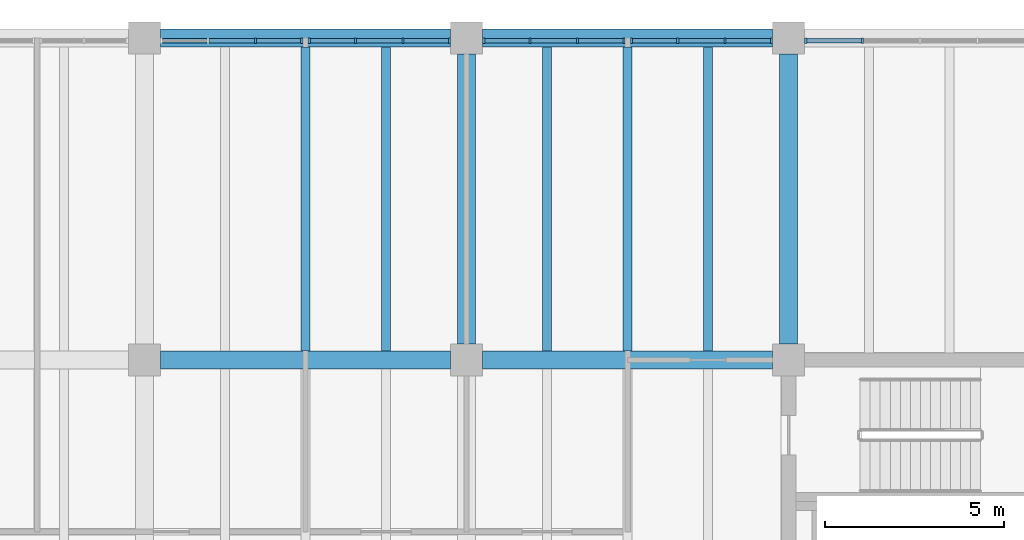
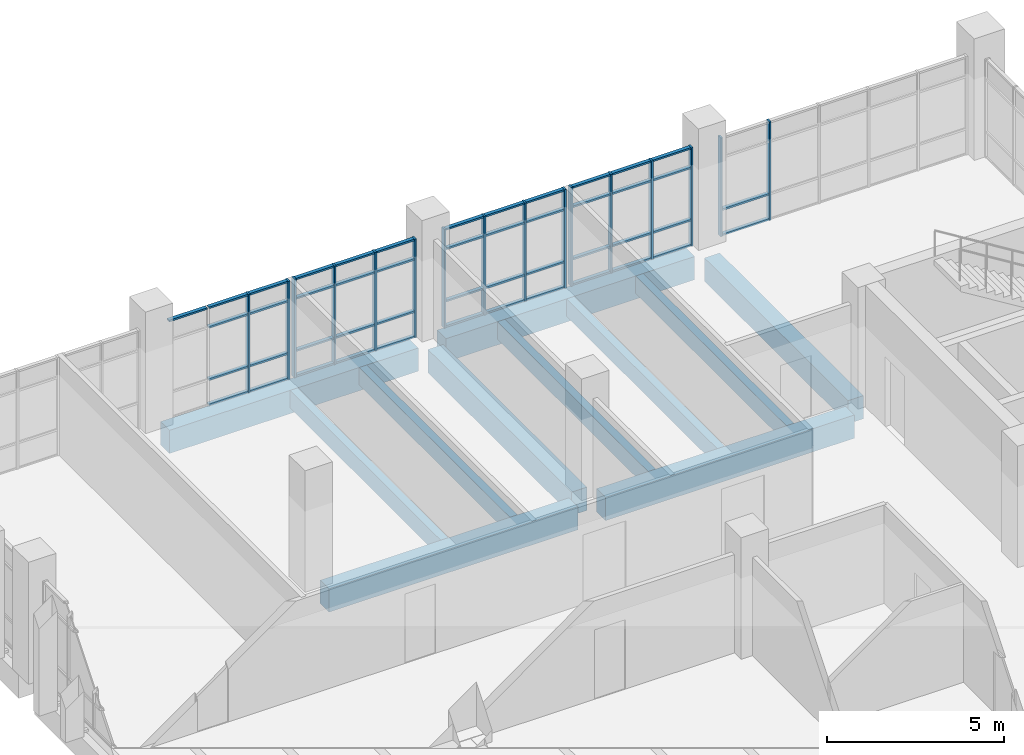
# One storey, part 34 of 88: 63 members, 11 beams, 5 elements without a shape of their own.
"""IFC4 building model written with IfcOpenShell, lengths in metres."""

from ifc_helpers import new_model, si_unit, direction, frame, origin, origin_2d, place, context, subcontext, project, spatial, rectangle, extrude, material, material_profile, profile_set, type_object, element, aggregate, save


model = new_model("IFC4")

# Units and contexts
model_context = context("Model", 3, precision=1e-05, world=origin(), true_north=direction((0.0, 1.0)))
body_context = subcontext(model_context, "Body", "Model", "MODEL_VIEW")
ifc_project = project(units=[si_unit("LENGTHUNIT", "METRE"), si_unit("AREAUNIT", "SQUARE_METRE"), si_unit("VOLUMEUNIT", "CUBIC_METRE"), si_unit("PLANEANGLEUNIT", "RADIAN"), si_unit("MASSUNIT", "GRAM", prefix="KILO")], contexts=[model_context])

# Site, building, storey
site_placement = place(None, origin())
site = spatial("IfcSite", under=ifc_project, at=site_placement, CompositionType="ELEMENT")
building_placement = place(site_placement, origin())
building = spatial("IfcBuilding", under=site, at=building_placement, Name="Merrow Basin Faculty of Sciences", CompositionType="ELEMENT")
storey_placement = place(building_placement, frame((0.0, 0.0, 9.0)))
storey = spatial("IfcBuildingStorey", under=building, at=storey_placement, Name="L02", CompositionType="ELEMENT", Elevation=9.0)

# Curtain wall, members
ifc_material_1 = material(Name="Aluminium alloy 6063", Category="aluminium")
curtain_wall_type = type_object("IfcCurtainWallType", Name="Unitised curtain wall 160", PredefinedType="NOTDEFINED", material=ifc_material_1)
curtain_wall_1_placement = place(storey_placement, origin())
curtain_wall_1 = element("IfcCurtainWall", 1, at=curtain_wall_1_placement, inside=storey, type_object=curtain_wall_type, Name="N curtain wall L02 3", PredefinedType="NOTDEFINED")
ifc_material_2 = material(Name="Aluminium alloy 6063", Category="aluminium")
ifc_material_profile_1 = material_profile(ifc_material_2, rectangle(XDim=0.159912109375, YDim=0.06005859375, at=origin_2d()))
ifc_profile_set_1 = profile_set([ifc_material_profile_1], Name="Aluminium alloy 6063")
member_type_1 = type_object("IfcMemberType", Name="Aluminium mullion 60x160", PredefinedType="MULLION", material=ifc_profile_set_1)
member_1_placement = place(storey_placement, frame((30.10009765625, 168.919921875, 0.0), z_axis=(0.0, 0.0, 1.0), x_axis=(0.0, 1.0, 0.0)))
member_1 = element("IfcMember", 2, at=member_1_placement, type_object=member_type_1, Name="CW3 mullion 3", PredefinedType="MULLION", context=body_context, shape_type="SweptSolid", body=[
    extrude(rectangle(XDim=0.159912109375, YDim=0.06005859375, at=origin_2d()), origin(), (0.0, 0.0, 1.0), 3.39990234375),
])
member_2_placement = place(storey_placement, frame((31.39501953125, 168.919921875, 0.0), z_axis=(0.0, 0.0, 1.0), x_axis=(0.0, 1.0, 0.0)))
member_2 = element("IfcMember", 3, at=member_2_placement, type_object=member_type_1, Name="CW3 mullion 4", PredefinedType="MULLION", context=body_context, shape_type="SweptSolid", body=[
    extrude(rectangle(XDim=0.159912109375, YDim=0.06005859375, at=origin_2d()), origin(), (0.0, 0.0, 1.0), 3.39990234375),
])

curtain_wall_2_placement = place(storey_placement, origin())
curtain_wall_2 = element("IfcCurtainWall", 4, at=curtain_wall_2_placement, inside=storey, type_object=curtain_wall_type, Name="N curtain wall L02 4", PredefinedType="NOTDEFINED")
member_3_placement = place(storey_placement, frame((31.60498046875, 168.919921875, 0.0), z_axis=(0.0, 0.0, 1.0), x_axis=(0.0, 1.0, 0.0)))
member_3 = element("IfcMember", 5, at=member_3_placement, type_object=member_type_1, Name="CW3 mullion 1", PredefinedType="MULLION", context=body_context, shape_type="SweptSolid", body=[
    extrude(rectangle(XDim=0.159912109375, YDim=0.06005859375, at=origin_2d()), origin(), (0.0, 0.0, 1.0), 3.39990234375),
])
member_4_placement = place(storey_placement, frame((32.89990234375, 168.919921875, 0.0), z_axis=(0.0, 0.0, 1.0), x_axis=(0.0, 1.0, 0.0)))
member_4 = element("IfcMember", 6, at=member_4_placement, type_object=member_type_1, Name="CW3 mullion 2", PredefinedType="MULLION", context=body_context, shape_type="SweptSolid", body=[
    extrude(rectangle(XDim=0.159912109375, YDim=0.06005859375, at=origin_2d()), origin(), (0.0, 0.0, 1.0), 3.39990234375),
])
member_5_placement = place(storey_placement, frame((34.22509765625, 168.919921875, 0.0), z_axis=(0.0, 0.0, 1.0), x_axis=(0.0, 1.0, 0.0)))
member_5 = element("IfcMember", 7, at=member_5_placement, type_object=member_type_1, Name="CW3 mullion 3", PredefinedType="MULLION", context=body_context, shape_type="SweptSolid", body=[
    extrude(rectangle(XDim=0.159912109375, YDim=0.06005859375, at=origin_2d()), origin(), (0.0, 0.0, 1.0), 3.39990234375),
])
member_6_placement = place(storey_placement, frame((35.52001953125, 168.919921875, 0.0), z_axis=(0.0, 0.0, 1.0), x_axis=(0.0, 1.0, 0.0)))
member_6 = element("IfcMember", 8, at=member_6_placement, type_object=member_type_1, Name="CW3 mullion 4", PredefinedType="MULLION", context=body_context, shape_type="SweptSolid", body=[
    extrude(rectangle(XDim=0.159912109375, YDim=0.06005859375, at=origin_2d()), origin(), (0.0, 0.0, 1.0), 3.39990234375),
])

curtain_wall_3_placement = place(storey_placement, origin())
curtain_wall_3 = element("IfcCurtainWall", 9, at=curtain_wall_3_placement, inside=storey, type_object=curtain_wall_type, Name="N curtain wall L02 5", PredefinedType="NOTDEFINED")
member_7_placement = place(storey_placement, frame((36.47998046875, 168.919921875, 0.0), z_axis=(0.0, 0.0, 1.0), x_axis=(0.0, 1.0, 0.0)))
member_7 = element("IfcMember", 10, at=member_7_placement, type_object=member_type_1, Name="CW3 mullion 1", PredefinedType="MULLION", context=body_context, shape_type="SweptSolid", body=[
    extrude(rectangle(XDim=0.159912109375, YDim=0.06005859375, at=origin_2d()), origin(), (0.0, 0.0, 1.0), 3.39990234375),
])
member_8_placement = place(storey_placement, frame((37.77490234375, 168.919921875, 0.0), z_axis=(0.0, 0.0, 1.0), x_axis=(0.0, 1.0, 0.0)))
member_8 = element("IfcMember", 11, at=member_8_placement, type_object=member_type_1, Name="CW3 mullion 2", PredefinedType="MULLION", context=body_context, shape_type="SweptSolid", body=[
    extrude(rectangle(XDim=0.159912109375, YDim=0.06005859375, at=origin_2d()), origin(), (0.0, 0.0, 1.0), 3.39990234375),
])
member_9_placement = place(storey_placement, frame((39.10009765625, 168.919921875, 0.0), z_axis=(0.0, 0.0, 1.0), x_axis=(0.0, 1.0, 0.0)))
member_9 = element("IfcMember", 12, at=member_9_placement, type_object=member_type_1, Name="CW3 mullion 3", PredefinedType="MULLION", context=body_context, shape_type="SweptSolid", body=[
    extrude(rectangle(XDim=0.159912109375, YDim=0.06005859375, at=origin_2d()), origin(), (0.0, 0.0, 1.0), 3.39990234375),
])
member_10_placement = place(storey_placement, frame((40.39501953125, 168.919921875, 0.0), z_axis=(0.0, 0.0, 1.0), x_axis=(0.0, 1.0, 0.0)))
member_10 = element("IfcMember", 13, at=member_10_placement, type_object=member_type_1, Name="CW3 mullion 4", PredefinedType="MULLION", context=body_context, shape_type="SweptSolid", body=[
    extrude(rectangle(XDim=0.159912109375, YDim=0.06005859375, at=origin_2d()), origin(), (0.0, 0.0, 1.0), 3.39990234375),
])

curtain_wall_4_placement = place(storey_placement, origin())
curtain_wall_4 = element("IfcCurtainWall", 14, at=curtain_wall_4_placement, inside=storey, type_object=curtain_wall_type, Name="N curtain wall L02 6", PredefinedType="NOTDEFINED")
member_11_placement = place(storey_placement, frame((40.60498046875, 168.919921875, 0.0), z_axis=(0.0, 0.0, 1.0), x_axis=(0.0, 1.0, 0.0)))
member_11 = element("IfcMember", 15, at=member_11_placement, type_object=member_type_1, Name="CW3 mullion 1", PredefinedType="MULLION", context=body_context, shape_type="SweptSolid", body=[
    extrude(rectangle(XDim=0.159912109375, YDim=0.06005859375, at=origin_2d()), origin(), (0.0, 0.0, 1.0), 3.39990234375),
])
member_12_placement = place(storey_placement, frame((41.89990234375, 168.919921875, 0.0), z_axis=(0.0, 0.0, 1.0), x_axis=(0.0, 1.0, 0.0)))
member_12 = element("IfcMember", 16, at=member_12_placement, type_object=member_type_1, Name="CW3 mullion 2", PredefinedType="MULLION", context=body_context, shape_type="SweptSolid", body=[
    extrude(rectangle(XDim=0.159912109375, YDim=0.06005859375, at=origin_2d()), origin(), (0.0, 0.0, 1.0), 3.39990234375),
])
member_13_placement = place(storey_placement, frame((43.22509765625, 168.919921875, 0.0), z_axis=(0.0, 0.0, 1.0), x_axis=(0.0, 1.0, 0.0)))
member_13 = element("IfcMember", 17, at=member_13_placement, type_object=member_type_1, Name="CW3 mullion 3", PredefinedType="MULLION", context=body_context, shape_type="SweptSolid", body=[
    extrude(rectangle(XDim=0.159912109375, YDim=0.06005859375, at=origin_2d()), origin(), (0.0, 0.0, 1.0), 3.39990234375),
])
member_14_placement = place(storey_placement, frame((44.52001953125, 168.919921875, 0.0), z_axis=(0.0, 0.0, 1.0), x_axis=(0.0, 1.0, 0.0)))
member_14 = element("IfcMember", 18, at=member_14_placement, type_object=member_type_1, Name="CW3 mullion 4", PredefinedType="MULLION", context=body_context, shape_type="SweptSolid", body=[
    extrude(rectangle(XDim=0.159912109375, YDim=0.06005859375, at=origin_2d()), origin(), (0.0, 0.0, 1.0), 3.39990234375),
])

curtain_wall_5_placement = place(storey_placement, origin())
curtain_wall_5 = element("IfcCurtainWall", 19, at=curtain_wall_5_placement, inside=storey, type_object=curtain_wall_type, Name="N curtain wall L02 7", PredefinedType="NOTDEFINED")
member_15_placement = place(storey_placement, frame((45.47998046875, 168.919921875, 0.0), z_axis=(0.0, 0.0, 1.0), x_axis=(0.0, 1.0, 0.0)))
member_15 = element("IfcMember", 20, at=member_15_placement, type_object=member_type_1, Name="CW3 mullion 1", PredefinedType="MULLION", context=body_context, shape_type="SweptSolid", body=[
    extrude(rectangle(XDim=0.159912109375, YDim=0.06005859375, at=origin_2d()), origin(), (0.0, 0.0, 1.0), 3.39990234375),
])
member_16_placement = place(storey_placement, frame((47.06005859375, 168.919921875, 0.0), z_axis=(0.0, 0.0, 1.0), x_axis=(0.0, 1.0, 0.0)))
member_16 = element("IfcMember", 21, at=member_16_placement, type_object=member_type_1, Name="CW3 mullion 2", PredefinedType="MULLION", context=body_context, shape_type="SweptSolid", body=[
    extrude(rectangle(XDim=0.159912109375, YDim=0.06005859375, at=origin_2d()), origin(), (0.0, 0.0, 1.0), 3.39990234375),
])

# Member
ifc_material_3 = material(Name="Aluminium alloy 6063", Category="aluminium")
ifc_material_profile_2 = material_profile(ifc_material_3, rectangle(XDim=0.1201171875, YDim=0.06005859375, at=origin_2d()))
ifc_profile_set_2 = profile_set([ifc_material_profile_2], Name="Aluminium alloy 6063")
member_type_2 = type_object("IfcMemberType", Name="Aluminium transom 60x120", PredefinedType="USERDEFINED", material=ifc_profile_set_2)
member_17_placement = place(storey_placement, frame((27.510009765625, 168.919921875, 3.3701171875), z_axis=(1.0, 0.0, 0.0), x_axis=(0.0, 1.0, 0.0)))
member_17 = element("IfcMember", 22, at=member_17_placement, type_object=member_type_2, Name="CW3 transom 1.4", ObjectType="TRANSOM", PredefinedType="USERDEFINED", context=body_context, shape_type="SweptSolid", body=[
    extrude(rectangle(XDim=0.1201171875, YDim=0.06005859375, at=origin_2d()), origin(), (0.0, 0.0, 1.0), 1.235107421875),
])

member_18_placement = place(storey_placement, frame((28.804931640625, 168.919921875, 0.030029296875), z_axis=(1.0, 0.0, 0.0), x_axis=(0.0, 1.0, 0.0)))
member_18 = element("IfcMember", 23, at=member_18_placement, type_object=member_type_2, Name="CW3 transom 2.1", ObjectType="TRANSOM", PredefinedType="USERDEFINED", context=body_context, shape_type="SweptSolid", body=[
    extrude(rectangle(XDim=0.1201171875, YDim=0.06005859375, at=origin_2d()), origin(), (0.0, 0.0, 1.0), 1.26513671875),
])

member_19_placement = place(storey_placement, frame((28.804931640625, 168.919921875, 0.89990234375), z_axis=(1.0, 0.0, 0.0), x_axis=(0.0, 1.0, 0.0)))
member_19 = element("IfcMember", 24, at=member_19_placement, type_object=member_type_2, Name="CW3 transom 2.2", ObjectType="TRANSOM", PredefinedType="USERDEFINED", context=body_context, shape_type="SweptSolid", body=[
    extrude(rectangle(XDim=0.1201171875, YDim=0.06005859375, at=origin_2d()), origin(), (0.0, 0.0, 1.0), 1.26513671875),
])

member_20_placement = place(storey_placement, frame((28.804931640625, 168.919921875, 2.699951171875), z_axis=(1.0, 0.0, 0.0), x_axis=(0.0, 1.0, 0.0)))
member_20 = element("IfcMember", 25, at=member_20_placement, type_object=member_type_2, Name="CW3 transom 2.3", ObjectType="TRANSOM", PredefinedType="USERDEFINED", context=body_context, shape_type="SweptSolid", body=[
    extrude(rectangle(XDim=0.1201171875, YDim=0.06005859375, at=origin_2d()), origin(), (0.0, 0.0, 1.0), 1.26513671875),
])

member_21_placement = place(storey_placement, frame((28.804931640625, 168.919921875, 3.3701171875), z_axis=(1.0, 0.0, 0.0), x_axis=(0.0, 1.0, 0.0)))
member_21 = element("IfcMember", 26, at=member_21_placement, type_object=member_type_2, Name="CW3 transom 2.4", ObjectType="TRANSOM", PredefinedType="USERDEFINED", context=body_context, shape_type="SweptSolid", body=[
    extrude(rectangle(XDim=0.1201171875, YDim=0.06005859375, at=origin_2d()), origin(), (0.0, 0.0, 1.0), 1.26513671875),
])

member_22_placement = place(storey_placement, frame((30.1298828125, 168.919921875, 0.030029296875), z_axis=(1.0, 0.0, 0.0), x_axis=(0.0, 1.0, 0.0)))
member_22 = element("IfcMember", 27, at=member_22_placement, type_object=member_type_2, Name="CW3 transom 3.1", ObjectType="TRANSOM", PredefinedType="USERDEFINED", context=body_context, shape_type="SweptSolid", body=[
    extrude(rectangle(XDim=0.1201171875, YDim=0.06005859375, at=origin_2d()), origin(), (0.0, 0.0, 1.0), 1.235107421875),
])

member_23_placement = place(storey_placement, frame((30.1298828125, 168.919921875, 0.89990234375), z_axis=(1.0, 0.0, 0.0), x_axis=(0.0, 1.0, 0.0)))
member_23 = element("IfcMember", 28, at=member_23_placement, type_object=member_type_2, Name="CW3 transom 3.2", ObjectType="TRANSOM", PredefinedType="USERDEFINED", context=body_context, shape_type="SweptSolid", body=[
    extrude(rectangle(XDim=0.1201171875, YDim=0.06005859375, at=origin_2d()), origin(), (0.0, 0.0, 1.0), 1.235107421875),
])

member_24_placement = place(storey_placement, frame((30.1298828125, 168.919921875, 2.699951171875), z_axis=(1.0, 0.0, 0.0), x_axis=(0.0, 1.0, 0.0)))
member_24 = element("IfcMember", 29, at=member_24_placement, type_object=member_type_2, Name="CW3 transom 3.3", ObjectType="TRANSOM", PredefinedType="USERDEFINED", context=body_context, shape_type="SweptSolid", body=[
    extrude(rectangle(XDim=0.1201171875, YDim=0.06005859375, at=origin_2d()), origin(), (0.0, 0.0, 1.0), 1.235107421875),
])

member_25_placement = place(storey_placement, frame((30.1298828125, 168.919921875, 3.3701171875), z_axis=(1.0, 0.0, 0.0), x_axis=(0.0, 1.0, 0.0)))
member_25 = element("IfcMember", 30, at=member_25_placement, type_object=member_type_2, Name="CW3 transom 3.4", ObjectType="TRANSOM", PredefinedType="USERDEFINED", context=body_context, shape_type="SweptSolid", body=[
    extrude(rectangle(XDim=0.1201171875, YDim=0.06005859375, at=origin_2d()), origin(), (0.0, 0.0, 1.0), 1.235107421875),
])

aggregate(curtain_wall_1, [member_1, member_2, member_17, member_18, member_19, member_20, member_21, member_22, member_23, member_24, member_25])

member_26_placement = place(storey_placement, frame((31.635009765625, 168.919921875, 0.030029296875), z_axis=(1.0, 0.0, 0.0), x_axis=(0.0, 1.0, 0.0)))
member_26 = element("IfcMember", 31, at=member_26_placement, type_object=member_type_2, Name="CW3 transom 1.1", ObjectType="TRANSOM", PredefinedType="USERDEFINED", context=body_context, shape_type="SweptSolid", body=[
    extrude(rectangle(XDim=0.1201171875, YDim=0.06005859375, at=origin_2d()), origin(), (0.0, 0.0, 1.0), 1.235107421875),
])

member_27_placement = place(storey_placement, frame((31.635009765625, 168.919921875, 0.89990234375), z_axis=(1.0, 0.0, 0.0), x_axis=(0.0, 1.0, 0.0)))
member_27 = element("IfcMember", 32, at=member_27_placement, type_object=member_type_2, Name="CW3 transom 1.2", ObjectType="TRANSOM", PredefinedType="USERDEFINED", context=body_context, shape_type="SweptSolid", body=[
    extrude(rectangle(XDim=0.1201171875, YDim=0.06005859375, at=origin_2d()), origin(), (0.0, 0.0, 1.0), 1.235107421875),
])

member_28_placement = place(storey_placement, frame((31.635009765625, 168.919921875, 2.699951171875), z_axis=(1.0, 0.0, 0.0), x_axis=(0.0, 1.0, 0.0)))
member_28 = element("IfcMember", 33, at=member_28_placement, type_object=member_type_2, Name="CW3 transom 1.3", ObjectType="TRANSOM", PredefinedType="USERDEFINED", context=body_context, shape_type="SweptSolid", body=[
    extrude(rectangle(XDim=0.1201171875, YDim=0.06005859375, at=origin_2d()), origin(), (0.0, 0.0, 1.0), 1.235107421875),
])

member_29_placement = place(storey_placement, frame((31.635009765625, 168.919921875, 3.3701171875), z_axis=(1.0, 0.0, 0.0), x_axis=(0.0, 1.0, 0.0)))
member_29 = element("IfcMember", 34, at=member_29_placement, type_object=member_type_2, Name="CW3 transom 1.4", ObjectType="TRANSOM", PredefinedType="USERDEFINED", context=body_context, shape_type="SweptSolid", body=[
    extrude(rectangle(XDim=0.1201171875, YDim=0.06005859375, at=origin_2d()), origin(), (0.0, 0.0, 1.0), 1.235107421875),
])

member_30_placement = place(storey_placement, frame((32.929931640625, 168.919921875, 0.030029296875), z_axis=(1.0, 0.0, 0.0), x_axis=(0.0, 1.0, 0.0)))
member_30 = element("IfcMember", 35, at=member_30_placement, type_object=member_type_2, Name="CW3 transom 2.1", ObjectType="TRANSOM", PredefinedType="USERDEFINED", context=body_context, shape_type="SweptSolid", body=[
    extrude(rectangle(XDim=0.1201171875, YDim=0.06005859375, at=origin_2d()), origin(), (0.0, 0.0, 1.0), 1.26513671875),
])

member_31_placement = place(storey_placement, frame((32.929931640625, 168.919921875, 0.89990234375), z_axis=(1.0, 0.0, 0.0), x_axis=(0.0, 1.0, 0.0)))
member_31 = element("IfcMember", 36, at=member_31_placement, type_object=member_type_2, Name="CW3 transom 2.2", ObjectType="TRANSOM", PredefinedType="USERDEFINED", context=body_context, shape_type="SweptSolid", body=[
    extrude(rectangle(XDim=0.1201171875, YDim=0.06005859375, at=origin_2d()), origin(), (0.0, 0.0, 1.0), 1.26513671875),
])

member_32_placement = place(storey_placement, frame((32.929931640625, 168.919921875, 2.699951171875), z_axis=(1.0, 0.0, 0.0), x_axis=(0.0, 1.0, 0.0)))
member_32 = element("IfcMember", 37, at=member_32_placement, type_object=member_type_2, Name="CW3 transom 2.3", ObjectType="TRANSOM", PredefinedType="USERDEFINED", context=body_context, shape_type="SweptSolid", body=[
    extrude(rectangle(XDim=0.1201171875, YDim=0.06005859375, at=origin_2d()), origin(), (0.0, 0.0, 1.0), 1.26513671875),
])

member_33_placement = place(storey_placement, frame((32.929931640625, 168.919921875, 3.3701171875), z_axis=(1.0, 0.0, 0.0), x_axis=(0.0, 1.0, 0.0)))
member_33 = element("IfcMember", 38, at=member_33_placement, type_object=member_type_2, Name="CW3 transom 2.4", ObjectType="TRANSOM", PredefinedType="USERDEFINED", context=body_context, shape_type="SweptSolid", body=[
    extrude(rectangle(XDim=0.1201171875, YDim=0.06005859375, at=origin_2d()), origin(), (0.0, 0.0, 1.0), 1.26513671875),
])

member_34_placement = place(storey_placement, frame((34.2548828125, 168.919921875, 0.030029296875), z_axis=(1.0, 0.0, 0.0), x_axis=(0.0, 1.0, 0.0)))
member_34 = element("IfcMember", 39, at=member_34_placement, type_object=member_type_2, Name="CW3 transom 3.1", ObjectType="TRANSOM", PredefinedType="USERDEFINED", context=body_context, shape_type="SweptSolid", body=[
    extrude(rectangle(XDim=0.1201171875, YDim=0.06005859375, at=origin_2d()), origin(), (0.0, 0.0, 1.0), 1.235107421875),
])

member_35_placement = place(storey_placement, frame((34.2548828125, 168.919921875, 0.89990234375), z_axis=(1.0, 0.0, 0.0), x_axis=(0.0, 1.0, 0.0)))
member_35 = element("IfcMember", 40, at=member_35_placement, type_object=member_type_2, Name="CW3 transom 3.2", ObjectType="TRANSOM", PredefinedType="USERDEFINED", context=body_context, shape_type="SweptSolid", body=[
    extrude(rectangle(XDim=0.1201171875, YDim=0.06005859375, at=origin_2d()), origin(), (0.0, 0.0, 1.0), 1.235107421875),
])

member_36_placement = place(storey_placement, frame((34.2548828125, 168.919921875, 2.699951171875), z_axis=(1.0, 0.0, 0.0), x_axis=(0.0, 1.0, 0.0)))
member_36 = element("IfcMember", 41, at=member_36_placement, type_object=member_type_2, Name="CW3 transom 3.3", ObjectType="TRANSOM", PredefinedType="USERDEFINED", context=body_context, shape_type="SweptSolid", body=[
    extrude(rectangle(XDim=0.1201171875, YDim=0.06005859375, at=origin_2d()), origin(), (0.0, 0.0, 1.0), 1.235107421875),
])

member_37_placement = place(storey_placement, frame((34.2548828125, 168.919921875, 3.3701171875), z_axis=(1.0, 0.0, 0.0), x_axis=(0.0, 1.0, 0.0)))
member_37 = element("IfcMember", 42, at=member_37_placement, type_object=member_type_2, Name="CW3 transom 3.4", ObjectType="TRANSOM", PredefinedType="USERDEFINED", context=body_context, shape_type="SweptSolid", body=[
    extrude(rectangle(XDim=0.1201171875, YDim=0.06005859375, at=origin_2d()), origin(), (0.0, 0.0, 1.0), 1.235107421875),
])

aggregate(curtain_wall_2, [member_3, member_4, member_5, member_6, member_26, member_27, member_28, member_29, member_30, member_31, member_32, member_33, member_34, member_35, member_36, member_37])

member_38_placement = place(storey_placement, frame((36.510009765625, 168.919921875, 0.030029296875), z_axis=(1.0, 0.0, 0.0), x_axis=(0.0, 1.0, 0.0)))
member_38 = element("IfcMember", 43, at=member_38_placement, type_object=member_type_2, Name="CW3 transom 1.1", ObjectType="TRANSOM", PredefinedType="USERDEFINED", context=body_context, shape_type="SweptSolid", body=[
    extrude(rectangle(XDim=0.1201171875, YDim=0.06005859375, at=origin_2d()), origin(), (0.0, 0.0, 1.0), 1.235107421875),
])

member_39_placement = place(storey_placement, frame((36.510009765625, 168.919921875, 0.89990234375), z_axis=(1.0, 0.0, 0.0), x_axis=(0.0, 1.0, 0.0)))
member_39 = element("IfcMember", 44, at=member_39_placement, type_object=member_type_2, Name="CW3 transom 1.2", ObjectType="TRANSOM", PredefinedType="USERDEFINED", context=body_context, shape_type="SweptSolid", body=[
    extrude(rectangle(XDim=0.1201171875, YDim=0.06005859375, at=origin_2d()), origin(), (0.0, 0.0, 1.0), 1.235107421875),
])

member_40_placement = place(storey_placement, frame((36.510009765625, 168.919921875, 2.699951171875), z_axis=(1.0, 0.0, 0.0), x_axis=(0.0, 1.0, 0.0)))
member_40 = element("IfcMember", 45, at=member_40_placement, type_object=member_type_2, Name="CW3 transom 1.3", ObjectType="TRANSOM", PredefinedType="USERDEFINED", context=body_context, shape_type="SweptSolid", body=[
    extrude(rectangle(XDim=0.1201171875, YDim=0.06005859375, at=origin_2d()), origin(), (0.0, 0.0, 1.0), 1.235107421875),
])

member_41_placement = place(storey_placement, frame((36.510009765625, 168.919921875, 3.3701171875), z_axis=(1.0, 0.0, 0.0), x_axis=(0.0, 1.0, 0.0)))
member_41 = element("IfcMember", 46, at=member_41_placement, type_object=member_type_2, Name="CW3 transom 1.4", ObjectType="TRANSOM", PredefinedType="USERDEFINED", context=body_context, shape_type="SweptSolid", body=[
    extrude(rectangle(XDim=0.1201171875, YDim=0.06005859375, at=origin_2d()), origin(), (0.0, 0.0, 1.0), 1.235107421875),
])

member_42_placement = place(storey_placement, frame((37.804931640625, 168.919921875, 0.030029296875), z_axis=(1.0, 0.0, 0.0), x_axis=(0.0, 1.0, 0.0)))
member_42 = element("IfcMember", 47, at=member_42_placement, type_object=member_type_2, Name="CW3 transom 2.1", ObjectType="TRANSOM", PredefinedType="USERDEFINED", context=body_context, shape_type="SweptSolid", body=[
    extrude(rectangle(XDim=0.1201171875, YDim=0.06005859375, at=origin_2d()), origin(), (0.0, 0.0, 1.0), 1.26513671875),
])

member_43_placement = place(storey_placement, frame((37.804931640625, 168.919921875, 0.89990234375), z_axis=(1.0, 0.0, 0.0), x_axis=(0.0, 1.0, 0.0)))
member_43 = element("IfcMember", 48, at=member_43_placement, type_object=member_type_2, Name="CW3 transom 2.2", ObjectType="TRANSOM", PredefinedType="USERDEFINED", context=body_context, shape_type="SweptSolid", body=[
    extrude(rectangle(XDim=0.1201171875, YDim=0.06005859375, at=origin_2d()), origin(), (0.0, 0.0, 1.0), 1.26513671875),
])

member_44_placement = place(storey_placement, frame((37.804931640625, 168.919921875, 2.699951171875), z_axis=(1.0, 0.0, 0.0), x_axis=(0.0, 1.0, 0.0)))
member_44 = element("IfcMember", 49, at=member_44_placement, type_object=member_type_2, Name="CW3 transom 2.3", ObjectType="TRANSOM", PredefinedType="USERDEFINED", context=body_context, shape_type="SweptSolid", body=[
    extrude(rectangle(XDim=0.1201171875, YDim=0.06005859375, at=origin_2d()), origin(), (0.0, 0.0, 1.0), 1.26513671875),
])

member_45_placement = place(storey_placement, frame((37.804931640625, 168.919921875, 3.3701171875), z_axis=(1.0, 0.0, 0.0), x_axis=(0.0, 1.0, 0.0)))
member_45 = element("IfcMember", 50, at=member_45_placement, type_object=member_type_2, Name="CW3 transom 2.4", ObjectType="TRANSOM", PredefinedType="USERDEFINED", context=body_context, shape_type="SweptSolid", body=[
    extrude(rectangle(XDim=0.1201171875, YDim=0.06005859375, at=origin_2d()), origin(), (0.0, 0.0, 1.0), 1.26513671875),
])

member_46_placement = place(storey_placement, frame((39.1298828125, 168.919921875, 0.030029296875), z_axis=(1.0, 0.0, 0.0), x_axis=(0.0, 1.0, 0.0)))
member_46 = element("IfcMember", 51, at=member_46_placement, type_object=member_type_2, Name="CW3 transom 3.1", ObjectType="TRANSOM", PredefinedType="USERDEFINED", context=body_context, shape_type="SweptSolid", body=[
    extrude(rectangle(XDim=0.1201171875, YDim=0.06005859375, at=origin_2d()), origin(), (0.0, 0.0, 1.0), 1.235107421875),
])

member_47_placement = place(storey_placement, frame((39.1298828125, 168.919921875, 0.89990234375), z_axis=(1.0, 0.0, 0.0), x_axis=(0.0, 1.0, 0.0)))
member_47 = element("IfcMember", 52, at=member_47_placement, type_object=member_type_2, Name="CW3 transom 3.2", ObjectType="TRANSOM", PredefinedType="USERDEFINED", context=body_context, shape_type="SweptSolid", body=[
    extrude(rectangle(XDim=0.1201171875, YDim=0.06005859375, at=origin_2d()), origin(), (0.0, 0.0, 1.0), 1.235107421875),
])

member_48_placement = place(storey_placement, frame((39.1298828125, 168.919921875, 2.699951171875), z_axis=(1.0, 0.0, 0.0), x_axis=(0.0, 1.0, 0.0)))
member_48 = element("IfcMember", 53, at=member_48_placement, type_object=member_type_2, Name="CW3 transom 3.3", ObjectType="TRANSOM", PredefinedType="USERDEFINED", context=body_context, shape_type="SweptSolid", body=[
    extrude(rectangle(XDim=0.1201171875, YDim=0.06005859375, at=origin_2d()), origin(), (0.0, 0.0, 1.0), 1.235107421875),
])

member_49_placement = place(storey_placement, frame((39.1298828125, 168.919921875, 3.3701171875), z_axis=(1.0, 0.0, 0.0), x_axis=(0.0, 1.0, 0.0)))
member_49 = element("IfcMember", 54, at=member_49_placement, type_object=member_type_2, Name="CW3 transom 3.4", ObjectType="TRANSOM", PredefinedType="USERDEFINED", context=body_context, shape_type="SweptSolid", body=[
    extrude(rectangle(XDim=0.1201171875, YDim=0.06005859375, at=origin_2d()), origin(), (0.0, 0.0, 1.0), 1.235107421875),
])

aggregate(curtain_wall_3, [member_7, member_8, member_9, member_10, member_38, member_39, member_40, member_41, member_42, member_43, member_44, member_45, member_46, member_47, member_48, member_49])

member_50_placement = place(storey_placement, frame((40.635009765625, 168.919921875, 0.030029296875), z_axis=(1.0, 0.0, 0.0), x_axis=(0.0, 1.0, 0.0)))
member_50 = element("IfcMember", 55, at=member_50_placement, type_object=member_type_2, Name="CW3 transom 1.1", ObjectType="TRANSOM", PredefinedType="USERDEFINED", context=body_context, shape_type="SweptSolid", body=[
    extrude(rectangle(XDim=0.1201171875, YDim=0.06005859375, at=origin_2d()), origin(), (0.0, 0.0, 1.0), 1.235107421875),
])

member_51_placement = place(storey_placement, frame((40.635009765625, 168.919921875, 0.89990234375), z_axis=(1.0, 0.0, 0.0), x_axis=(0.0, 1.0, 0.0)))
member_51 = element("IfcMember", 56, at=member_51_placement, type_object=member_type_2, Name="CW3 transom 1.2", ObjectType="TRANSOM", PredefinedType="USERDEFINED", context=body_context, shape_type="SweptSolid", body=[
    extrude(rectangle(XDim=0.1201171875, YDim=0.06005859375, at=origin_2d()), origin(), (0.0, 0.0, 1.0), 1.235107421875),
])

member_52_placement = place(storey_placement, frame((40.635009765625, 168.919921875, 2.699951171875), z_axis=(1.0, 0.0, 0.0), x_axis=(0.0, 1.0, 0.0)))
member_52 = element("IfcMember", 57, at=member_52_placement, type_object=member_type_2, Name="CW3 transom 1.3", ObjectType="TRANSOM", PredefinedType="USERDEFINED", context=body_context, shape_type="SweptSolid", body=[
    extrude(rectangle(XDim=0.1201171875, YDim=0.06005859375, at=origin_2d()), origin(), (0.0, 0.0, 1.0), 1.235107421875),
])

member_53_placement = place(storey_placement, frame((40.635009765625, 168.919921875, 3.3701171875), z_axis=(1.0, 0.0, 0.0), x_axis=(0.0, 1.0, 0.0)))
member_53 = element("IfcMember", 58, at=member_53_placement, type_object=member_type_2, Name="CW3 transom 1.4", ObjectType="TRANSOM", PredefinedType="USERDEFINED", context=body_context, shape_type="SweptSolid", body=[
    extrude(rectangle(XDim=0.1201171875, YDim=0.06005859375, at=origin_2d()), origin(), (0.0, 0.0, 1.0), 1.235107421875),
])

member_54_placement = place(storey_placement, frame((41.929931640625, 168.919921875, 0.030029296875), z_axis=(1.0, 0.0, 0.0), x_axis=(0.0, 1.0, 0.0)))
member_54 = element("IfcMember", 59, at=member_54_placement, type_object=member_type_2, Name="CW3 transom 2.1", ObjectType="TRANSOM", PredefinedType="USERDEFINED", context=body_context, shape_type="SweptSolid", body=[
    extrude(rectangle(XDim=0.1201171875, YDim=0.06005859375, at=origin_2d()), origin(), (0.0, 0.0, 1.0), 1.26513671875),
])

member_55_placement = place(storey_placement, frame((41.929931640625, 168.919921875, 0.89990234375), z_axis=(1.0, 0.0, 0.0), x_axis=(0.0, 1.0, 0.0)))
member_55 = element("IfcMember", 60, at=member_55_placement, type_object=member_type_2, Name="CW3 transom 2.2", ObjectType="TRANSOM", PredefinedType="USERDEFINED", context=body_context, shape_type="SweptSolid", body=[
    extrude(rectangle(XDim=0.1201171875, YDim=0.06005859375, at=origin_2d()), origin(), (0.0, 0.0, 1.0), 1.26513671875),
])

member_56_placement = place(storey_placement, frame((41.929931640625, 168.919921875, 2.699951171875), z_axis=(1.0, 0.0, 0.0), x_axis=(0.0, 1.0, 0.0)))
member_56 = element("IfcMember", 61, at=member_56_placement, type_object=member_type_2, Name="CW3 transom 2.3", ObjectType="TRANSOM", PredefinedType="USERDEFINED", context=body_context, shape_type="SweptSolid", body=[
    extrude(rectangle(XDim=0.1201171875, YDim=0.06005859375, at=origin_2d()), origin(), (0.0, 0.0, 1.0), 1.26513671875),
])

member_57_placement = place(storey_placement, frame((41.929931640625, 168.919921875, 3.3701171875), z_axis=(1.0, 0.0, 0.0), x_axis=(0.0, 1.0, 0.0)))
member_57 = element("IfcMember", 62, at=member_57_placement, type_object=member_type_2, Name="CW3 transom 2.4", ObjectType="TRANSOM", PredefinedType="USERDEFINED", context=body_context, shape_type="SweptSolid", body=[
    extrude(rectangle(XDim=0.1201171875, YDim=0.06005859375, at=origin_2d()), origin(), (0.0, 0.0, 1.0), 1.26513671875),
])

member_58_placement = place(storey_placement, frame((43.2548828125, 168.919921875, 0.030029296875), z_axis=(1.0, 0.0, 0.0), x_axis=(0.0, 1.0, 0.0)))
member_58 = element("IfcMember", 63, at=member_58_placement, type_object=member_type_2, Name="CW3 transom 3.1", ObjectType="TRANSOM", PredefinedType="USERDEFINED", context=body_context, shape_type="SweptSolid", body=[
    extrude(rectangle(XDim=0.1201171875, YDim=0.06005859375, at=origin_2d()), origin(), (0.0, 0.0, 1.0), 1.235107421875),
])

member_59_placement = place(storey_placement, frame((43.2548828125, 168.919921875, 0.89990234375), z_axis=(1.0, 0.0, 0.0), x_axis=(0.0, 1.0, 0.0)))
member_59 = element("IfcMember", 64, at=member_59_placement, type_object=member_type_2, Name="CW3 transom 3.2", ObjectType="TRANSOM", PredefinedType="USERDEFINED", context=body_context, shape_type="SweptSolid", body=[
    extrude(rectangle(XDim=0.1201171875, YDim=0.06005859375, at=origin_2d()), origin(), (0.0, 0.0, 1.0), 1.235107421875),
])

member_60_placement = place(storey_placement, frame((43.2548828125, 168.919921875, 2.699951171875), z_axis=(1.0, 0.0, 0.0), x_axis=(0.0, 1.0, 0.0)))
member_60 = element("IfcMember", 65, at=member_60_placement, type_object=member_type_2, Name="CW3 transom 3.3", ObjectType="TRANSOM", PredefinedType="USERDEFINED", context=body_context, shape_type="SweptSolid", body=[
    extrude(rectangle(XDim=0.1201171875, YDim=0.06005859375, at=origin_2d()), origin(), (0.0, 0.0, 1.0), 1.235107421875),
])

member_61_placement = place(storey_placement, frame((43.2548828125, 168.919921875, 3.3701171875), z_axis=(1.0, 0.0, 0.0), x_axis=(0.0, 1.0, 0.0)))
member_61 = element("IfcMember", 66, at=member_61_placement, type_object=member_type_2, Name="CW3 transom 3.4", ObjectType="TRANSOM", PredefinedType="USERDEFINED", context=body_context, shape_type="SweptSolid", body=[
    extrude(rectangle(XDim=0.1201171875, YDim=0.06005859375, at=origin_2d()), origin(), (0.0, 0.0, 1.0), 1.235107421875),
])

aggregate(curtain_wall_4, [member_11, member_12, member_13, member_14, member_50, member_51, member_52, member_53, member_54, member_55, member_56, member_57, member_58, member_59, member_60, member_61])

member_62_placement = place(storey_placement, frame((45.510009765625, 168.919921875, 0.030029296875), z_axis=(1.0, 0.0, 0.0), x_axis=(0.0, 1.0, 0.0)))
member_62 = element("IfcMember", 67, at=member_62_placement, type_object=member_type_2, Name="CW3 transom 1.1", ObjectType="TRANSOM", PredefinedType="USERDEFINED", context=body_context, shape_type="SweptSolid", body=[
    extrude(rectangle(XDim=0.1201171875, YDim=0.06005859375, at=origin_2d()), origin(), (0.0, 0.0, 1.0), 1.52001953125),
])

member_63_placement = place(storey_placement, frame((45.510009765625, 168.919921875, 0.89990234375), z_axis=(1.0, 0.0, 0.0), x_axis=(0.0, 1.0, 0.0)))
member_63 = element("IfcMember", 68, at=member_63_placement, type_object=member_type_2, Name="CW3 transom 1.2", ObjectType="TRANSOM", PredefinedType="USERDEFINED", context=body_context, shape_type="SweptSolid", body=[
    extrude(rectangle(XDim=0.1201171875, YDim=0.06005859375, at=origin_2d()), origin(), (0.0, 0.0, 1.0), 1.52001953125),
])

aggregate(curtain_wall_5, [member_15, member_16, member_62, member_63])

# Beams
ifc_material_4 = material(Name="Concrete C40/50", Category="concrete")
ifc_material_profile_3 = material_profile(ifc_material_4, rectangle(XDim=0.5, YDim=0.800048828125, at=origin_2d()))
ifc_profile_set_3 = profile_set([ifc_material_profile_3], Name="Concrete C40/50")
beam_type_1 = type_object("IfcBeamType", Name="Beam RC500x800 C40/50", PredefinedType="BEAM", material=ifc_profile_set_3)
for number, where, z_axis, x_axis, name in (
    (69, (27.449951171875, 160.0, -0.699951171875), (1.0, 0.0, 0.0), (0.0, 1.0, 0.0), "B4 L02 007"),
    (70, (36.449951171875, 160.0, -0.699951171875), (1.0, 0.0, 0.0), (0.0, 1.0, 0.0), "B4 L02 008"),
    (71, (27.449951171875, 169.0, -0.699951171875), (1.0, 0.0, 0.0), (0.0, 1.0, 0.0), "B4 L02 010"),
    (72, (36.449951171875, 169.0, -0.699951171875), (1.0, 0.0, 0.0), (0.0, 1.0, 0.0), "B4 L02 011"),
    (73, (36.0, 160.449951171875, -0.699951171875), (0.0, 1.0, 0.0), (-1.0, 0.0, 0.0), "B4 L02 019"),
    (74, (45.0, 160.449951171875, -0.699951171875), (0.0, 1.0, 0.0), (-1.0, 0.0, 0.0), "B4 L02 020"),
):
    element("IfcBeam", number, at=place(storey_placement, frame(where, z_axis=z_axis, x_axis=x_axis)), inside=storey, type_object=beam_type_1, Name=name, PredefinedType="BEAM", context=body_context, shape_type="SweptSolid", body=[
        extrude(rectangle(XDim=0.5, YDim=0.800048828125, at=origin_2d()), origin(), (0.0, 0.0, 1.0), 8.10009765625),
    ])
ifc_material_5 = material(Name="Concrete C40/50", Category="concrete")
ifc_material_profile_4 = material_profile(ifc_material_5, rectangle(XDim=0.25, YDim=0.60009765625, at=origin_2d()))
ifc_profile_set_4 = profile_set([ifc_material_profile_4], Name="Concrete C40/50")
beam_type_2 = type_object("IfcBeamType", Name="Tower floor joist RC250x600 C40/50", PredefinedType="BEAM", material=ifc_profile_set_4)
for number, where, z_axis, x_axis, name in (
    (75, (31.5, 160.25, -0.60009765625), (0.0, 1.0, 0.0), (-1.0, 0.0, 0.0), "JT1 L02 039"),
    (76, (33.75, 160.25, -0.60009765625), (0.0, 1.0, 0.0), (-1.0, 0.0, 0.0), "JT1 L02 040"),
    (77, (38.25, 160.25, -0.60009765625), (0.0, 1.0, 0.0), (-1.0, 0.0, 0.0), "JT1 L02 047"),
    (78, (40.5, 160.25, -0.60009765625), (0.0, 1.0, 0.0), (-1.0, 0.0, 0.0), "JT1 L02 048"),
    (79, (42.75, 160.25, -0.60009765625), (0.0, 1.0, 0.0), (-1.0, 0.0, 0.0), "JT1 L02 049"),
):
    element("IfcBeam", number, at=place(storey_placement, frame(where, z_axis=z_axis, x_axis=x_axis)), inside=storey, type_object=beam_type_2, Name=name, PredefinedType="BEAM", context=body_context, shape_type="SweptSolid", body=[
        extrude(rectangle(XDim=0.25, YDim=0.60009765625, at=origin_2d()), origin(), (0.0, 0.0, 1.0), 8.5),
    ])

save(model, "model.ifc")
